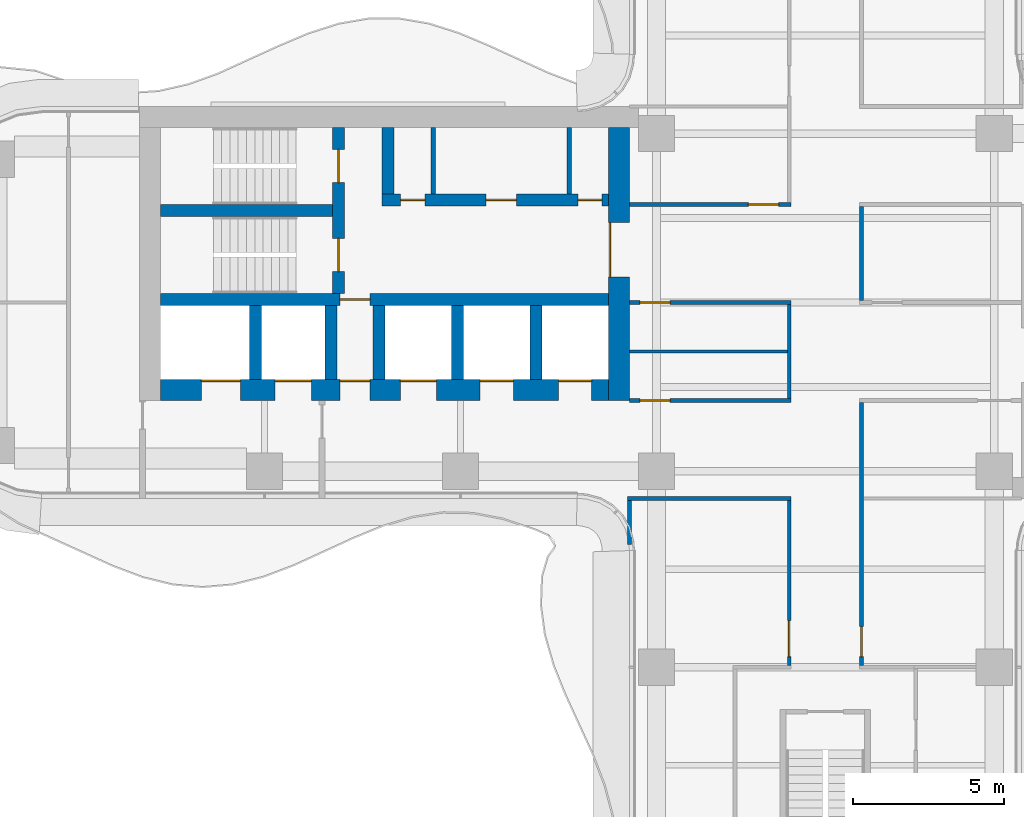
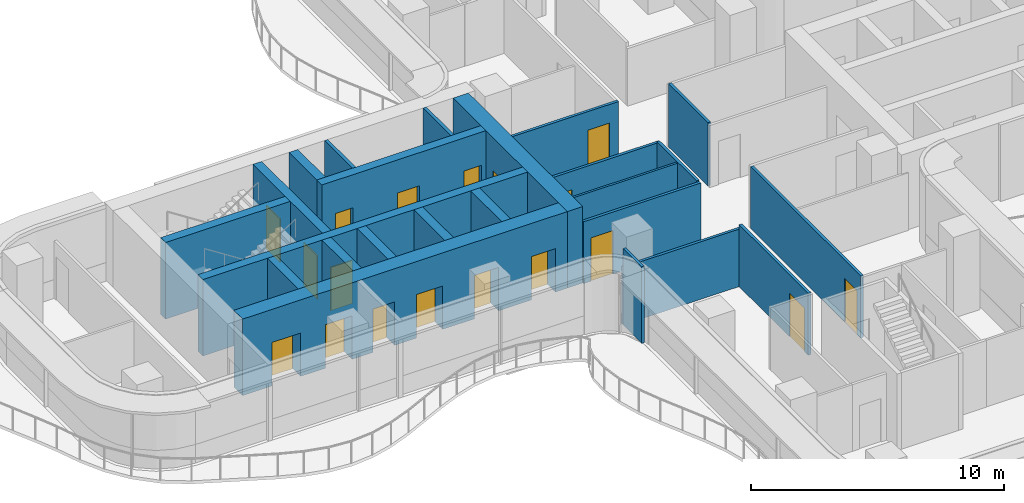
# One storey, part 14 of 19: 24 walls, 18 doors, 18 openings.
"""IFC4 building model written with IfcOpenShell, lengths in metres."""

from ifc_helpers import new_model, si_unit, direction, frame, frame_2d, origin, place, context, subcontext, project, spatial, rectangle, extrude, source, transform, mapped, material, layer, layer_set, type_object, element, fill, save


model = new_model("IFC4")

# Units and contexts
model_context = context("Model", 3, precision=1e-05, world=origin(), true_north=direction((0.0, 1.0)))
body_context = subcontext(model_context, "Body", "Model", "MODEL_VIEW")
ifc_project = project(units=[si_unit("LENGTHUNIT", "METRE"), si_unit("AREAUNIT", "SQUARE_METRE"), si_unit("VOLUMEUNIT", "CUBIC_METRE"), si_unit("PLANEANGLEUNIT", "RADIAN"), si_unit("MASSUNIT", "GRAM", prefix="KILO")], contexts=[model_context])

# Site, building, storey
site_placement = place(None, origin())
site = spatial("IfcSite", under=ifc_project, at=site_placement, CompositionType="ELEMENT")
building_placement = place(site_placement, origin())
building = spatial("IfcBuilding", under=site, at=building_placement, Name="Trellis Farm Tower", CompositionType="ELEMENT")
storey_placement = place(building_placement, frame((0.0, 0.0, 197.10009765625)))
storey = spatial("IfcBuildingStorey", under=building, at=storey_placement, Name="L43", CompositionType="ELEMENT", Elevation=197.10009765625)

# Wall, opening, door
ifc_material_1 = material(Name="Concrete C70/85", Category="concrete")
ifc_layer_1 = layer(ifc_material_1, 0.699951171875)
ifc_layer_set_1 = layer_set([ifc_layer_1], Name="CORE OUTER WALL 700 CONCRETE C70/85")
wall_type_1 = type_object("IfcWallType", Name="CORE OUTER WALL 700 CONCRETE C70/85", PredefinedType="SHEAR", material=ifc_layer_set_1)
shared_shape_1 = source(origin(), body_context, "Body", "SweptSolid", [
    extrude(rectangle(XDim=9.050048828125, YDim=0.699951171875, at=frame_2d((4.52490234375, 0.0))), origin(), (0.0, 0.0, 1.0), 3.699951171875),
])
wall_1_placement = place(storey_placement, frame((-6.85009765625, 5.800048828125, 0.0), z_axis=(0.0, 0.0, 1.0), x_axis=(0.0, -1.0, 0.0)))
wall_1 = element("IfcWall", 1, at=wall_1_placement, inside=storey, type_object=wall_type_1, Name="Core wall", PredefinedType="SHEAR", context=body_context, shape_type="MappedRepresentation", body=[
    mapped(shared_shape_1, transform((0.0, 0.0, 0.0))),
])
shared_shape_2 = source(origin(), body_context, "Body", "SweptSolid", [
    extrude(rectangle(XDim=1.800048828125, YDim=2.10009765625, at=frame_2d((0.89990234375, 1.050048828125))), frame((0.0, 0.360107421875, 0.0), z_axis=(0.0, -1.0, 0.0), x_axis=(1.0, 0.0, 0.0)), (0.0, 0.0, 1.0), 0.72021484375),
])
opening_1_placement = place(wall_1_placement, frame((3.14990234375, 0.0, 0.0)))
opening_1 = element("IfcOpeningElement", 2, at=opening_1_placement, cuts=wall_1, Name="Opening DC87", PredefinedType="OPENING", context=body_context, shape_type="MappedRepresentation", body=[
    mapped(shared_shape_2, transform((0.0, 0.0, 0.0))),
])
ifc_material_2 = material(Name="Steel", Category="steel")
door_type_1 = type_object("IfcDoorType", Name="CORE FIRE DOOR DOUBLE 1800 X 2100", OperationType="DOUBLE_DOOR_SINGLE_SWING", PredefinedType="DOOR", material=ifc_material_2)
shared_shape_3 = source(origin(), body_context, "Body", "SweptSolid", [
    extrude(rectangle(XDim=1.800048828125, YDim=2.10009765625, at=frame_2d((0.89990234375, 1.050048828125))), frame((0.0, -0.27490234375, 0.0), z_axis=(0.0, -1.0, 0.0), x_axis=(1.0, 0.0, 0.0)), (0.0, 0.0, 1.0), 0.050048828125),
])
door_1_placement = place(opening_1_placement, origin())
door_1 = element("IfcDoor", 3, at=door_1_placement, inside=storey, type_object=door_type_1, Name="Core door", OperationType="DOUBLE_DOOR_SINGLE_SWING", OverallHeight=2.10009765625, OverallWidth=1.800048828125, PredefinedType="DOOR", context=body_context, shape_type="MappedRepresentation", body=[
    mapped(shared_shape_3, transform((0.0, 0.0, 0.0))),
])
fill(opening_1, door_1)

# Walls
ifc_layer_2 = layer(ifc_material_1, 0.39990234375)
ifc_layer_set_2 = layer_set([ifc_layer_2], Name="CORE INNER WALL 400 CONCRETE C70/85")
wall_type_2 = type_object("IfcWallType", Name="CORE INNER WALL 400 CONCRETE C70/85", PredefinedType="SHEAR", material=ifc_layer_set_2)
shared_shape_4 = source(origin(), body_context, "Body", "SweptSolid", [
    extrude(rectangle(XDim=2.449951171875, YDim=0.39990234375, at=frame_2d((1.22509765625, 0.0))), origin(), (0.0, 0.0, 1.0), 3.699951171875),
])
for number, where, z_axis, x_axis, name in (
    (4, (-9.60009765625, -0.10009765625, 0.0), (0.0, 0.0, 1.0), (0.0, -1.0, 0.0), "Core wall"),
    (5, (-12.199951171875, -0.10009765625, 0.0), (0.0, 0.0, 1.0), (0.0, -1.0, 0.0), "Core wall"),
    (6, (-14.800048828125, -0.10009765625, 0.0), (0.0, 0.0, 1.0), (0.0, -1.0, 0.0), "Core wall"),
    (7, (-16.39990234375, -0.10009765625, 0.0), (0.0, 0.0, 1.0), (0.0, -1.0, 0.0), "Core wall"),
    (8, (-18.89990234375, -0.10009765625, 0.0), (0.0, 0.0, 1.0), (0.0, -1.0, 0.0), "Core wall"),
):
    element("IfcWall", number, at=place(storey_placement, frame(where, z_axis=z_axis, x_axis=x_axis)), inside=storey, type_object=wall_type_2, Name=name, PredefinedType="SHEAR", context=body_context, shape_type="MappedRepresentation", body=[
        mapped(shared_shape_4, transform((0.0, 0.0, 0.0))),
    ])

# Wall, openings, doors
shared_shape_5 = source(origin(), body_context, "Body", "SweptSolid", [
    extrude(rectangle(XDim=14.85009765625, YDim=0.699951171875, at=frame_2d((7.425048828125, 0.0))), origin(), (0.0, 0.0, 1.0), 3.699951171875),
])
wall_2_placement = place(storey_placement, frame((-7.199951171875, -2.89990234375, 0.0), z_axis=(0.0, 0.0, 1.0), x_axis=(-1.0, 0.0, 0.0)))
wall_2 = element("IfcWall", 9, at=wall_2_placement, inside=storey, type_object=wall_type_1, Name="Core wall", PredefinedType="SHEAR", context=body_context, shape_type="MappedRepresentation", body=[
    mapped(shared_shape_5, transform((0.0, 0.0, 0.0))),
])
shared_shape_6 = source(origin(), body_context, "Body", "SweptSolid", [
    extrude(rectangle(XDim=1.10009765625, YDim=2.10009765625, at=frame_2d((0.550048828125, 1.050048828125))), frame((0.0, 0.360107421875, 0.0), z_axis=(0.0, -1.0, 0.0), x_axis=(1.0, 0.0, 0.0)), (0.0, 0.0, 1.0), 0.72021484375),
])
opening_2_placement = place(wall_2_placement, frame((0.550048828125, 0.0, 0.0)))
opening_2 = element("IfcOpeningElement", 10, at=opening_2_placement, cuts=wall_2, Name="Opening LD12", PredefinedType="OPENING", context=body_context, shape_type="MappedRepresentation", body=[
    mapped(shared_shape_6, transform((0.0, 0.0, 0.0))),
])
opening_3_placement = place(wall_2_placement, frame((3.14990234375, 0.0, 0.0)))
opening_3 = element("IfcOpeningElement", 11, at=opening_3_placement, cuts=wall_2, Name="Opening LD13", PredefinedType="OPENING", context=body_context, shape_type="MappedRepresentation", body=[
    mapped(shared_shape_6, transform((0.0, 0.0, 0.0))),
])
shared_shape_7 = source(origin(), body_context, "Body", "SweptSolid", [
    extrude(rectangle(XDim=1.199951171875, YDim=2.10009765625, at=frame_2d((0.60009765625, 1.050048828125))), frame((0.0, 0.360107421875, 0.0), z_axis=(0.0, -1.0, 0.0), x_axis=(1.0, 0.0, 0.0)), (0.0, 0.0, 1.0), 0.72021484375),
])
opening_4_placement = place(wall_2_placement, frame((5.699951171875, 0.0, 0.0)))
opening_4 = element("IfcOpeningElement", 12, at=opening_4_placement, cuts=wall_2, Name="Opening LD14", PredefinedType="OPENING", context=body_context, shape_type="MappedRepresentation", body=[
    mapped(shared_shape_7, transform((0.0, 0.0, 0.0))),
])
shared_shape_8 = source(origin(), body_context, "Body", "SweptSolid", [
    extrude(rectangle(XDim=1.300048828125, YDim=2.10009765625, at=frame_2d((0.64990234375, 1.050048828125))), frame((0.0, 0.360107421875, 0.0), z_axis=(0.0, -1.0, 0.0), x_axis=(1.0, 0.0, 0.0)), (0.0, 0.0, 1.0), 0.72021484375),
])
opening_5_placement = place(wall_2_placement, frame((12.199951171875, 0.0, 0.0)))
opening_5 = element("IfcOpeningElement", 13, at=opening_5_placement, cuts=wall_2, Name="Opening LD15", PredefinedType="OPENING", context=body_context, shape_type="MappedRepresentation", body=[
    mapped(shared_shape_8, transform((0.0, 0.0, 0.0))),
])
opening_6_placement = place(wall_2_placement, frame((9.85009765625, 0.0, 0.0)))
opening_6 = element("IfcOpeningElement", 14, at=opening_6_placement, cuts=wall_2, Name="Opening LD16", PredefinedType="OPENING", context=body_context, shape_type="MappedRepresentation", body=[
    mapped(shared_shape_7, transform((0.0, 0.0, 0.0))),
])
shared_shape_9 = source(origin(), body_context, "Body", "SweptSolid", [
    extrude(rectangle(XDim=1.0, YDim=2.10009765625, at=frame_2d((0.5, 1.050048828125))), frame((0.0, 0.360107421875, 0.0), z_axis=(0.0, -1.0, 0.0), x_axis=(1.0, 0.0, 0.0)), (0.0, 0.0, 1.0), 0.72021484375),
])
opening_7_placement = place(wall_2_placement, frame((7.89990234375, 0.0, 0.0)))
opening_7 = element("IfcOpeningElement", 15, at=opening_7_placement, cuts=wall_2, Name="Opening DC92", PredefinedType="OPENING", context=body_context, shape_type="MappedRepresentation", body=[
    mapped(shared_shape_9, transform((0.0, 0.0, 0.0))),
])
door_type_2 = type_object("IfcDoorType", Name="CORE FIRE DOOR 1000 X 2100", OperationType="NOTDEFINED", PredefinedType="DOOR", material=ifc_material_2)
shared_shape_10 = source(origin(), body_context, "Body", "SweptSolid", [
    extrude(rectangle(XDim=1.0, YDim=2.10009765625, at=frame_2d((0.5, 1.050048828125))), frame((0.0, -0.27490234375, 0.0), z_axis=(0.0, -1.0, 0.0), x_axis=(1.0, 0.0, 0.0)), (0.0, 0.0, 1.0), 0.050048828125),
])
door_2_placement = place(opening_7_placement, origin())
door_2 = element("IfcDoor", 16, at=door_2_placement, inside=storey, type_object=door_type_2, Name="Core door", OperationType="SINGLE_SWING_LEFT", OverallHeight=2.10009765625, OverallWidth=1.0, PredefinedType="DOOR", context=body_context, shape_type="MappedRepresentation", body=[
    mapped(shared_shape_10, transform((0.0, 0.0, 0.0))),
])
fill(opening_7, door_2)
ifc_material_3 = material(Name="Stainless steel", Category="steel")
door_type_3 = type_object("IfcDoorType", Name="LIFT LANDING DOOR 1300 X 2100", OperationType="DOUBLE_DOOR_SLIDING", PredefinedType="DOOR", material=ifc_material_3)
shared_shape_11 = source(origin(), body_context, "Body", "SweptSolid", [
    extrude(rectangle(XDim=1.300048828125, YDim=2.10009765625, at=frame_2d((0.64990234375, 1.050048828125))), frame((0.0, -0.27490234375, 0.0), z_axis=(0.0, -1.0, 0.0), x_axis=(1.0, 0.0, 0.0)), (0.0, 0.0, 1.0), 0.050048828125),
])
door_3_placement = place(opening_5_placement, origin())
door_3 = element("IfcDoor", 17, at=door_3_placement, inside=storey, type_object=door_type_3, Name="Lift landing door", OperationType="DOUBLE_DOOR_SLIDING", OverallHeight=2.10009765625, OverallWidth=1.300048828125, PredefinedType="DOOR", context=body_context, shape_type="MappedRepresentation", body=[
    mapped(shared_shape_11, transform((0.0, 0.0, 0.0))),
])
fill(opening_5, door_3)
door_type_4 = type_object("IfcDoorType", Name="LIFT LANDING DOOR 1200 X 2100", OperationType="DOUBLE_DOOR_SLIDING", PredefinedType="DOOR", material=ifc_material_3)
shared_shape_12 = source(origin(), body_context, "Body", "SweptSolid", [
    extrude(rectangle(XDim=1.199951171875, YDim=2.10009765625, at=frame_2d((0.60009765625, 1.050048828125))), frame((0.0, -0.27490234375, 0.0), z_axis=(0.0, -1.0, 0.0), x_axis=(1.0, 0.0, 0.0)), (0.0, 0.0, 1.0), 0.050048828125),
])
door_4_placement = place(opening_4_placement, origin())
door_4 = element("IfcDoor", 18, at=door_4_placement, inside=storey, type_object=door_type_4, Name="Lift landing door", OperationType="DOUBLE_DOOR_SLIDING", OverallHeight=2.10009765625, OverallWidth=1.199951171875, PredefinedType="DOOR", context=body_context, shape_type="MappedRepresentation", body=[
    mapped(shared_shape_12, transform((0.0, 0.0, 0.0))),
])
fill(opening_4, door_4)
door_5_placement = place(opening_6_placement, origin())
door_5 = element("IfcDoor", 19, at=door_5_placement, inside=storey, type_object=door_type_4, Name="Lift landing door", OperationType="DOUBLE_DOOR_SLIDING", OverallHeight=2.10009765625, OverallWidth=1.199951171875, PredefinedType="DOOR", context=body_context, shape_type="MappedRepresentation", body=[
    mapped(shared_shape_12, transform((0.0, 0.0, 0.0))),
])
fill(opening_6, door_5)
door_type_5 = type_object("IfcDoorType", Name="LIFT LANDING DOOR 1100 X 2100", OperationType="DOUBLE_DOOR_SLIDING", PredefinedType="DOOR", material=ifc_material_3)
shared_shape_13 = source(origin(), body_context, "Body", "SweptSolid", [
    extrude(rectangle(XDim=1.10009765625, YDim=2.10009765625, at=frame_2d((0.550048828125, 1.050048828125))), frame((0.0, -0.27490234375, 0.0), z_axis=(0.0, -1.0, 0.0), x_axis=(1.0, 0.0, 0.0)), (0.0, 0.0, 1.0), 0.050048828125),
])
door_6_placement = place(opening_2_placement, origin())
door_6 = element("IfcDoor", 20, at=door_6_placement, inside=storey, type_object=door_type_5, Name="Lift landing door", OperationType="DOUBLE_DOOR_SLIDING", OverallHeight=2.10009765625, OverallWidth=1.10009765625, PredefinedType="DOOR", context=body_context, shape_type="MappedRepresentation", body=[
    mapped(shared_shape_13, transform((0.0, 0.0, 0.0))),
])
fill(opening_2, door_6)
door_7_placement = place(opening_3_placement, origin())
door_7 = element("IfcDoor", 21, at=door_7_placement, inside=storey, type_object=door_type_5, Name="Lift landing door", OperationType="DOUBLE_DOOR_SLIDING", OverallHeight=2.10009765625, OverallWidth=1.10009765625, PredefinedType="DOOR", context=body_context, shape_type="MappedRepresentation", body=[
    mapped(shared_shape_13, transform((0.0, 0.0, 0.0))),
])
fill(opening_3, door_7)

shared_shape_14 = source(origin(), body_context, "Body", "SweptSolid", [
    extrude(rectangle(XDim=7.5, YDim=0.39990234375, at=frame_2d((3.75, 0.0))), origin(), (0.0, 0.0, 1.0), 3.699951171875),
])
wall_3_placement = place(storey_placement, frame((-7.199951171875, 3.39990234375, 0.0), z_axis=(0.0, 0.0, 1.0), x_axis=(-1.0, 0.0, 0.0)))
wall_3 = element("IfcWall", 22, at=wall_3_placement, inside=storey, type_object=wall_type_2, Name="Core wall", PredefinedType="SHEAR", context=body_context, shape_type="MappedRepresentation", body=[
    mapped(shared_shape_14, transform((0.0, 0.0, 0.0))),
])
shared_shape_15 = source(origin(), body_context, "Body", "SweptSolid", [
    extrude(rectangle(XDim=0.800048828125, YDim=2.10009765625, at=frame_2d((0.39990234375, 1.050048828125))), frame((0.0, 0.2099609375, 0.0), z_axis=(0.0, -1.0, 0.0), x_axis=(1.0, 0.0, 0.0)), (0.0, 0.0, 1.0), 0.419921875),
])
opening_8_placement = place(wall_3_placement, frame((0.21240234375, 0.0, 0.0)))
opening_8 = element("IfcOpeningElement", 23, at=opening_8_placement, cuts=wall_3, Name="Opening DC137", PredefinedType="OPENING", context=body_context, shape_type="MappedRepresentation", body=[
    mapped(shared_shape_15, transform((0.0, 0.0, 0.0))),
])
shared_shape_16 = source(origin(), body_context, "Body", "SweptSolid", [
    extrude(rectangle(XDim=1.0, YDim=2.10009765625, at=frame_2d((0.5, 1.050048828125))), frame((0.0, 0.2099609375, 0.0), z_axis=(0.0, -1.0, 0.0), x_axis=(1.0, 0.0, 0.0)), (0.0, 0.0, 1.0), 0.419921875),
])
opening_9_placement = place(wall_3_placement, frame((3.050048828125, 0.0, 0.0)))
opening_9 = element("IfcOpeningElement", 24, at=opening_9_placement, cuts=wall_3, Name="Opening DC148", PredefinedType="OPENING", context=body_context, shape_type="MappedRepresentation", body=[
    mapped(shared_shape_16, transform((0.0, 0.0, 0.0))),
])
opening_10_placement = place(wall_3_placement, frame((6.08740234375, 0.0, 0.0)))
opening_10 = element("IfcOpeningElement", 25, at=opening_10_placement, cuts=wall_3, Name="Opening DC149", PredefinedType="OPENING", context=body_context, shape_type="MappedRepresentation", body=[
    mapped(shared_shape_15, transform((0.0, 0.0, 0.0))),
])
shared_shape_17 = source(origin(), body_context, "Body", "SweptSolid", [
    extrude(rectangle(XDim=1.0, YDim=2.10009765625, at=frame_2d((0.5, 1.050048828125))), frame((0.0, 0.02490234375, 0.0), z_axis=(0.0, -1.0, 0.0), x_axis=(1.0, 0.0, 0.0)), (0.0, 0.0, 1.0), 0.050048828125),
])
door_8_placement = place(opening_9_placement, origin())
door_8 = element("IfcDoor", 26, at=door_8_placement, inside=storey, type_object=door_type_2, Name="Core door", OperationType="SINGLE_SWING_RIGHT", OverallHeight=2.10009765625, OverallWidth=1.0, PredefinedType="DOOR", context=body_context, shape_type="MappedRepresentation", body=[
    mapped(shared_shape_17, transform((0.0, 0.0, 0.0))),
])
fill(opening_9, door_8)
door_type_6 = type_object("IfcDoorType", Name="CORE FIRE DOOR 800 X 2100", OperationType="NOTDEFINED", PredefinedType="DOOR", material=ifc_material_2)
shared_shape_18 = source(origin(), body_context, "Body", "SweptSolid", [
    extrude(rectangle(XDim=0.800048828125, YDim=2.10009765625, at=frame_2d((0.39990234375, 1.050048828125))), frame((0.0, 0.02490234375, 0.0), z_axis=(0.0, -1.0, 0.0), x_axis=(1.0, 0.0, 0.0)), (0.0, 0.0, 1.0), 0.050048828125),
])
door_9_placement = place(opening_8_placement, origin())
door_9 = element("IfcDoor", 27, at=door_9_placement, inside=storey, type_object=door_type_6, Name="Core door", OperationType="SINGLE_SWING_LEFT", OverallHeight=2.10009765625, OverallWidth=0.800048828125, PredefinedType="DOOR", context=body_context, shape_type="MappedRepresentation", body=[
    mapped(shared_shape_18, transform((0.0, 0.0, 0.0))),
])
fill(opening_8, door_9)
door_10_placement = place(opening_10_placement, origin())
door_10 = element("IfcDoor", 28, at=door_10_placement, inside=storey, type_object=door_type_6, Name="Core door", OperationType="SINGLE_SWING_LEFT", OverallHeight=2.10009765625, OverallWidth=0.800048828125, PredefinedType="DOOR", context=body_context, shape_type="MappedRepresentation", body=[
    mapped(shared_shape_18, transform((0.0, 0.0, 0.0))),
])
fill(opening_10, door_10)

# Wall, opening, door
shared_shape_19 = source(origin(), body_context, "Body", "SweptSolid", [
    extrude(rectangle(XDim=14.85009765625, YDim=0.39990234375, at=frame_2d((7.425048828125, 0.0))), origin(), (0.0, 0.0, 1.0), 3.699951171875),
])
wall_4_placement = place(storey_placement, frame((-7.199951171875, 0.10009765625, 0.0), z_axis=(0.0, 0.0, 1.0), x_axis=(-1.0, 0.0, 0.0)))
wall_4 = element("IfcWall", 29, at=wall_4_placement, inside=storey, type_object=wall_type_2, Name="Core wall", PredefinedType="SHEAR", context=body_context, shape_type="MappedRepresentation", body=[
    mapped(shared_shape_19, transform((0.0, 0.0, 0.0))),
])
opening_11_placement = place(wall_4_placement, frame((7.89990234375, 0.0, 0.0)))
opening_11 = element("IfcOpeningElement", 30, at=opening_11_placement, cuts=wall_4, Name="Opening DC91", PredefinedType="OPENING", context=body_context, shape_type="MappedRepresentation", body=[
    mapped(shared_shape_16, transform((0.0, 0.0, 0.0))),
])
door_11_placement = place(opening_11_placement, origin())
door_11 = element("IfcDoor", 31, at=door_11_placement, inside=storey, type_object=door_type_2, Name="Core door", OperationType="SINGLE_SWING_RIGHT", OverallHeight=2.10009765625, OverallWidth=1.0, PredefinedType="DOOR", context=body_context, shape_type="MappedRepresentation", body=[
    mapped(shared_shape_17, transform((0.0, 0.0, 0.0))),
])
fill(opening_11, door_11)

# Wall, openings, doors
shared_shape_20 = source(origin(), body_context, "Body", "SweptSolid", [
    extrude(rectangle(XDim=5.5, YDim=0.39990234375, at=frame_2d((2.75, 0.0))), origin(), (0.0, 0.0, 1.0), 3.699951171875),
])
wall_5_placement = place(storey_placement, frame((-16.14990234375, 5.800048828125, 0.0), z_axis=(0.0, 0.0, 1.0), x_axis=(0.0, -1.0, 0.0)))
wall_5 = element("IfcWall", 32, at=wall_5_placement, inside=storey, type_object=wall_type_2, Name="Core wall", PredefinedType="SHEAR", context=body_context, shape_type="MappedRepresentation", body=[
    mapped(shared_shape_20, transform((0.0, 0.0, 0.0))),
])
shared_shape_21 = source(origin(), body_context, "Body", "SweptSolid", [
    extrude(rectangle(XDim=1.10009765625, YDim=2.10009765625, at=frame_2d((0.550048828125, 1.050048828125))), frame((0.0, 0.2099609375, 0.0), z_axis=(0.0, -1.0, 0.0), x_axis=(1.0, 0.0, 0.0)), (0.0, 0.0, 1.0), 0.419921875),
])
opening_12_placement = place(wall_5_placement, frame((0.72509765625, 0.0, 0.0)))
opening_12 = element("IfcOpeningElement", 33, at=opening_12_placement, cuts=wall_5, Name="Opening DC88", PredefinedType="OPENING", context=body_context, shape_type="MappedRepresentation", body=[
    mapped(shared_shape_21, transform((0.0, 0.0, 0.0))),
])
opening_13_placement = place(wall_5_placement, frame((3.675048828125, 0.0, 0.0)))
opening_13 = element("IfcOpeningElement", 34, at=opening_13_placement, cuts=wall_5, Name="Opening DC89", PredefinedType="OPENING", context=body_context, shape_type="MappedRepresentation", body=[
    mapped(shared_shape_21, transform((0.0, 0.0, 0.0))),
])
door_type_7 = type_object("IfcDoorType", Name="CORE FIRE DOOR 1100 X 2100", OperationType="NOTDEFINED", PredefinedType="DOOR", material=ifc_material_2)
shared_shape_22 = source(origin(), body_context, "Body", "SweptSolid", [
    extrude(rectangle(XDim=1.10009765625, YDim=2.10009765625, at=frame_2d((0.550048828125, 1.050048828125))), frame((0.0, 0.02490234375, 0.0), z_axis=(0.0, -1.0, 0.0), x_axis=(1.0, 0.0, 0.0)), (0.0, 0.0, 1.0), 0.050048828125),
])
door_12_placement = place(opening_12_placement, origin())
door_12 = element("IfcDoor", 35, at=door_12_placement, inside=storey, type_object=door_type_7, Name="Core door", OperationType="SINGLE_SWING_RIGHT", OverallHeight=2.10009765625, OverallWidth=1.10009765625, PredefinedType="DOOR", context=body_context, shape_type="MappedRepresentation", body=[
    mapped(shared_shape_22, transform((0.0, 0.0, 0.0))),
])
fill(opening_12, door_12)
door_13_placement = place(opening_13_placement, origin())
door_13 = element("IfcDoor", 36, at=door_13_placement, inside=storey, type_object=door_type_7, Name="Core door", OperationType="SINGLE_SWING_LEFT", OverallHeight=2.10009765625, OverallWidth=1.10009765625, PredefinedType="DOOR", context=body_context, shape_type="MappedRepresentation", body=[
    mapped(shared_shape_22, transform((0.0, 0.0, 0.0))),
])
fill(opening_13, door_13)

# Walls
shared_shape_23 = source(origin(), body_context, "Body", "SweptSolid", [
    extrude(rectangle(XDim=5.699951171875, YDim=0.39990234375, at=frame_2d((2.85009765625, 0.0))), origin(), (0.0, 0.0, 1.0), 3.699951171875),
])
wall_6_placement = place(storey_placement, frame((-16.35009765625, 3.050048828125, 0.0), z_axis=(0.0, 0.0, 1.0), x_axis=(-1.0, 0.0, 0.0)))
element("IfcWall", 37, at=wall_6_placement, inside=storey, type_object=wall_type_2, Name="Core wall", PredefinedType="SHEAR", context=body_context, shape_type="MappedRepresentation", body=[
    mapped(shared_shape_23, transform((0.0, 0.0, 0.0))),
])
shared_shape_24 = source(origin(), body_context, "Body", "SweptSolid", [
    extrude(rectangle(XDim=2.199951171875, YDim=0.39990234375, at=frame_2d((1.10009765625, 0.0))), origin(), (0.0, 0.0, 1.0), 3.699951171875),
])
wall_7_placement = place(storey_placement, frame((-14.5, 5.800048828125, 0.0), z_axis=(0.0, 0.0, 1.0), x_axis=(0.0, -1.0, 0.0)))
element("IfcWall", 38, at=wall_7_placement, inside=storey, type_object=wall_type_2, Name="Core wall", PredefinedType="SHEAR", context=body_context, shape_type="MappedRepresentation", body=[
    mapped(shared_shape_24, transform((0.0, 0.0, 0.0))),
])
ifc_material_4 = material(Name="Masonry blockwork", Category="masonry")
ifc_layer_3 = layer(ifc_material_4, 0.14990234375)
ifc_layer_set_3 = layer_set([ifc_layer_3], Name="CORE PARTITION 150 BLOCKWORK")
wall_type_3 = type_object("IfcWallType", Name="CORE PARTITION 150 BLOCKWORK", PredefinedType="PARTITIONING", material=ifc_layer_set_3)
shared_shape_25 = source(origin(), body_context, "Body", "SweptSolid", [
    extrude(rectangle(XDim=2.199951171875, YDim=0.14990234375, at=frame_2d((1.10009765625, 0.0))), origin(), (0.0, 0.0, 1.0), 3.699951171875),
])
for number, where, z_axis, x_axis, name in (
    (39, (-8.5, 5.800048828125, 0.0), (0.0, 0.0, 1.0), (0.0, -1.0, 0.0), "Core room partition"),
    (40, (-13.0, 5.800048828125, 0.0), (0.0, 0.0, 1.0), (0.0, -1.0, 0.0), "Core room partition"),
):
    element("IfcWall", number, at=place(storey_placement, frame(where, z_axis=z_axis, x_axis=x_axis)), inside=storey, type_object=wall_type_3, Name=name, PredefinedType="PARTITIONING", context=body_context, shape_type="MappedRepresentation", body=[
        mapped(shared_shape_25, transform((0.0, 0.0, 0.0))),
    ])

# Wall, opening, door
ifc_material_5 = material(Name="Plasterboard on steel studs, mineral wool", Category="steel")
ifc_layer_4 = layer(ifc_material_5, 0.125)
ifc_layer_set_4 = layer_set([ifc_layer_4], Name="PARTITION 125 STUD EI 60")
wall_type_4 = type_object("IfcWallType", Name="PARTITION 125 STUD EI 60", PredefinedType="PARTITIONING", material=ifc_layer_set_4)
shared_shape_26 = source(origin(), body_context, "Body", "SweptSolid", [
    extrude(rectangle(XDim=5.47509765625, YDim=0.125, at=frame_2d((2.737548828125, 0.0))), origin(), (0.0, 0.0, 1.0), 2.99658203125),
])
wall_8_placement = place(storey_placement, frame((-1.199951171875, -12.03759765625, 0.0), z_axis=(0.0, 0.0, 1.0), x_axis=(0.0, 1.0, 0.0)))
wall_8 = element("IfcWall", 41, at=wall_8_placement, inside=storey, type_object=wall_type_4, Name="Partition PW1", PredefinedType="PARTITIONING", context=body_context, shape_type="MappedRepresentation", body=[
    mapped(shared_shape_26, transform((0.0, 0.0, 0.0))),
])
shared_shape_27 = source(origin(), body_context, "Body", "SweptSolid", [
    extrude(rectangle(XDim=1.199951171875, YDim=2.10009765625, at=frame_2d((0.60009765625, 1.050048828125))), frame((0.0, 0.072509765625, 0.0), z_axis=(0.0, -1.0, 0.0), x_axis=(1.0, 0.0, 0.0)), (0.0, 0.0, 1.0), 0.14501953125),
])
opening_14_placement = place(wall_8_placement, frame((0.28759765625, 0.0, 0.0)))
opening_14 = element("IfcOpeningElement", 42, at=opening_14_placement, cuts=wall_8, Name="Opening D601", PredefinedType="OPENING", context=body_context, shape_type="MappedRepresentation", body=[
    mapped(shared_shape_27, transform((0.0, 0.0, 0.0))),
])
ifc_material_6 = material(Name="Fire-rated timber door leaf in a hollow metal frame", Category="wood")
door_type_8 = type_object("IfcDoorType", Name="DOOR 1200x2100 FD30S", OperationType="NOTDEFINED", PredefinedType="DOOR", material=ifc_material_6)
shared_shape_28 = source(origin(), body_context, "Body", "SweptSolid", [
    extrude(rectangle(XDim=1.199951171875, YDim=2.10009765625, at=frame_2d((0.60009765625, 1.050048828125))), frame((0.0, 0.02490234375, 0.0), z_axis=(0.0, -1.0, 0.0), x_axis=(1.0, 0.0, 0.0)), (0.0, 0.0, 1.0), 0.050048828125),
])
door_14_placement = place(opening_14_placement, origin())
door_14 = element("IfcDoor", 43, at=door_14_placement, inside=storey, type_object=door_type_8, Name="Door D601", OperationType="SINGLE_SWING_LEFT", OverallHeight=2.10009765625, OverallWidth=1.199951171875, PredefinedType="DOOR", context=body_context, shape_type="MappedRepresentation", body=[
    mapped(shared_shape_28, transform((0.0, 0.0, 0.0))),
])
fill(opening_14, door_14)

# Wall
shared_shape_29 = source(origin(), body_context, "Body", "SweptSolid", [
    extrude(rectangle(XDim=1.468994140625, YDim=0.125, at=frame_2d((0.734375, 0.0))), origin(), (0.0, 0.0, 1.0), 3.699951171875),
])
wall_9_placement = place(storey_placement, frame((-6.5, -6.5625, 0.0), z_axis=(0.0, 0.0, 1.0), x_axis=(0.0, -1.0, 0.0)))
element("IfcWall", 44, at=wall_9_placement, inside=storey, type_object=wall_type_4, Name="Partition PW1", PredefinedType="PARTITIONING", context=body_context, shape_type="MappedRepresentation", body=[
    mapped(shared_shape_29, transform((0.0, 0.0, 0.0))),
])

# Wall, opening, door
shared_shape_30 = source(origin(), body_context, "Body", "SweptSolid", [
    extrude(rectangle(XDim=5.362548828125, YDim=0.125, at=frame_2d((2.68115234375, 0.0))), origin(), (0.0, 0.0, 1.0), 2.99658203125),
])
wall_10_placement = place(storey_placement, frame((-1.137451171875, -3.25, 0.0), z_axis=(0.0, 0.0, 1.0), x_axis=(-1.0, 0.0, 0.0)))
wall_10 = element("IfcWall", 45, at=wall_10_placement, inside=storey, type_object=wall_type_4, Name="Partition PW1", PredefinedType="PARTITIONING", context=body_context, shape_type="MappedRepresentation", body=[
    mapped(shared_shape_30, transform((0.0, 0.0, 0.0))),
])
shared_shape_31 = source(origin(), body_context, "Body", "SweptSolid", [
    extrude(rectangle(XDim=1.0, YDim=2.10009765625, at=frame_2d((0.5, 1.050048828125))), frame((0.0, 0.072509765625, 0.0), z_axis=(0.0, -1.0, 0.0), x_axis=(1.0, 0.0, 0.0)), (0.0, 0.0, 1.0), 0.14501953125),
])
opening_15_placement = place(wall_10_placement, frame((4.012451171875, 0.0, 0.0)))
opening_15 = element("IfcOpeningElement", 46, at=opening_15_placement, cuts=wall_10, Name="Opening D105", PredefinedType="OPENING", context=body_context, shape_type="MappedRepresentation", body=[
    mapped(shared_shape_31, transform((0.0, 0.0, 0.0))),
])
door_type_9 = type_object("IfcDoorType", Name="DOOR 1000x2100 FD30S", OperationType="NOTDEFINED", PredefinedType="DOOR", material=ifc_material_6)
door_15_placement = place(opening_15_placement, origin())
door_15 = element("IfcDoor", 47, at=door_15_placement, inside=storey, type_object=door_type_9, Name="Door D105", OperationType="SINGLE_SWING_RIGHT", OverallHeight=2.10009765625, OverallWidth=1.0, PredefinedType="DOOR", context=body_context, shape_type="MappedRepresentation", body=[
    mapped(shared_shape_17, transform((0.0, 0.0, 0.0))),
])
fill(opening_15, door_15)

wall_11_placement = place(storey_placement, frame((-1.137451171875, 0.0, 0.0), z_axis=(0.0, 0.0, 1.0), x_axis=(-1.0, 0.0, 0.0)))
wall_11 = element("IfcWall", 48, at=wall_11_placement, inside=storey, type_object=wall_type_4, Name="Partition PW1", PredefinedType="PARTITIONING", context=body_context, shape_type="MappedRepresentation", body=[
    mapped(shared_shape_30, transform((0.0, 0.0, 0.0))),
])
opening_16_placement = place(wall_11_placement, frame((4.012451171875, 0.0, 0.0)))
opening_16 = element("IfcOpeningElement", 49, at=opening_16_placement, cuts=wall_11, Name="Opening D106", PredefinedType="OPENING", context=body_context, shape_type="MappedRepresentation", body=[
    mapped(shared_shape_31, transform((0.0, 0.0, 0.0))),
])
door_16_placement = place(opening_16_placement, origin())
door_16 = element("IfcDoor", 50, at=door_16_placement, inside=storey, type_object=door_type_9, Name="Door D106", OperationType="SINGLE_SWING_RIGHT", OverallHeight=2.10009765625, OverallWidth=1.0, PredefinedType="DOOR", context=body_context, shape_type="MappedRepresentation", body=[
    mapped(shared_shape_17, transform((0.0, 0.0, 0.0))),
])
fill(opening_16, door_16)

wall_12_placement = place(storey_placement, frame((-6.5, 3.25, 0.0), z_axis=(0.0, 0.0, 1.0), x_axis=(1.0, 0.0, 0.0)))
wall_12 = element("IfcWall", 51, at=wall_12_placement, inside=storey, type_object=wall_type_4, Name="Partition PW1", PredefinedType="PARTITIONING", context=body_context, shape_type="MappedRepresentation", body=[
    mapped(shared_shape_30, transform((0.0, 0.0, 0.0))),
])
opening_17_placement = place(wall_12_placement, frame((3.949951171875, 0.0, 0.0)))
opening_17 = element("IfcOpeningElement", 52, at=opening_17_placement, cuts=wall_12, Name="Opening D108", PredefinedType="OPENING", context=body_context, shape_type="MappedRepresentation", body=[
    mapped(shared_shape_31, transform((0.0, 0.0, 0.0))),
])
door_17_placement = place(opening_17_placement, origin())
door_17 = element("IfcDoor", 53, at=door_17_placement, inside=storey, type_object=door_type_9, Name="Door D108", OperationType="SINGLE_SWING_RIGHT", OverallHeight=2.10009765625, OverallWidth=1.0, PredefinedType="DOOR", context=body_context, shape_type="MappedRepresentation", body=[
    mapped(shared_shape_17, transform((0.0, 0.0, 0.0))),
])
fill(opening_17, door_17)

# Wall
ifc_material_7 = material(Name="Plasterboard on steel studs", Category="steel")
ifc_layer_5 = layer(ifc_material_7, 0.10009765625)
ifc_layer_set_5 = layer_set([ifc_layer_5], Name="PARTITION 100 STUD EI 30")
wall_type_5 = type_object("IfcWallType", Name="PARTITION 100 STUD EI 30", PredefinedType="PARTITIONING", material=ifc_layer_set_5)
shared_shape_32 = source(origin(), body_context, "Body", "SweptSolid", [
    extrude(rectangle(XDim=5.237548828125, YDim=0.10009765625, at=frame_2d((2.61865234375, 0.0))), origin(), (0.0, 0.0, 1.0), 2.99658203125),
])
wall_13_placement = place(storey_placement, frame((-6.5, -1.625, 0.0), z_axis=(0.0, 0.0, 1.0), x_axis=(1.0, 0.0, 0.0)))
element("IfcWall", 54, at=wall_13_placement, inside=storey, type_object=wall_type_5, Name="Partition PW2", PredefinedType="PARTITIONING", context=body_context, shape_type="MappedRepresentation", body=[
    mapped(shared_shape_32, transform((0.0, 0.0, 0.0))),
])

# Wall, opening, door
shared_shape_33 = source(origin(), body_context, "Body", "SweptSolid", [
    extrude(rectangle(XDim=8.72509765625, YDim=0.125, at=frame_2d((4.362548828125, 0.0))), origin(), (0.0, 0.0, 1.0), 2.99658203125),
])
wall_14_placement = place(storey_placement, frame((1.199951171875, -3.3125, 0.0), z_axis=(0.0, 0.0, 1.0), x_axis=(0.0, -1.0, 0.0)))
wall_14 = element("IfcWall", 55, at=wall_14_placement, inside=storey, type_object=wall_type_4, Name="Partition PW1", PredefinedType="PARTITIONING", context=body_context, shape_type="MappedRepresentation", body=[
    mapped(shared_shape_33, transform((0.0, 0.0, 0.0))),
])
opening_18_placement = place(wall_14_placement, frame((7.4375, 0.0, 0.0)))
opening_18 = element("IfcOpeningElement", 56, at=opening_18_placement, cuts=wall_14, Name="Opening D103", PredefinedType="OPENING", context=body_context, shape_type="MappedRepresentation", body=[
    mapped(shared_shape_31, transform((0.0, 0.0, 0.0))),
])
door_18_placement = place(opening_18_placement, origin())
door_18 = element("IfcDoor", 57, at=door_18_placement, inside=storey, type_object=door_type_9, Name="Door D103", OperationType="SINGLE_SWING_RIGHT", OverallHeight=2.10009765625, OverallWidth=1.0, PredefinedType="DOOR", context=body_context, shape_type="MappedRepresentation", body=[
    mapped(shared_shape_17, transform((0.0, 0.0, 0.0))),
])
fill(opening_18, door_18)

# Walls
shared_shape_34 = source(origin(), body_context, "Body", "SweptSolid", [
    extrude(rectangle(XDim=3.125, YDim=0.125, at=frame_2d((1.5625, 0.0))), origin(), (0.0, 0.0, 1.0), 3.067626953125),
])
for number, where, z_axis, x_axis, name in (
    (58, (-1.199951171875, -0.0625, 0.0), (0.0, 0.0, 1.0), (0.0, -1.0, 0.0), "Partition PW1"),
    (59, (1.199951171875, 3.1875, 0.0), (0.0, 0.0, 1.0), (0.0, -1.0, 0.0), "Partition PW1"),
):
    element("IfcWall", number, at=place(storey_placement, frame(where, z_axis=z_axis, x_axis=x_axis)), inside=storey, type_object=wall_type_4, Name=name, PredefinedType="PARTITIONING", context=body_context, shape_type="MappedRepresentation", body=[
        mapped(shared_shape_34, transform((0.0, 0.0, 0.0))),
    ])
shared_shape_35 = source(origin(), body_context, "Body", "SweptSolid", [
    extrude(rectangle(XDim=5.425048828125, YDim=0.125, at=frame_2d((2.71240234375, 0.0))), origin(), (0.0, 0.0, 1.0), 2.77978515625),
])
wall_15_placement = place(storey_placement, frame((-1.137451171875, -6.5, 0.0), z_axis=(0.0, 0.0, 1.0), x_axis=(-1.0, 0.0, 0.0)))
element("IfcWall", 60, at=wall_15_placement, inside=storey, type_object=wall_type_4, Name="Partition PW1", PredefinedType="PARTITIONING", context=body_context, shape_type="MappedRepresentation", body=[
    mapped(shared_shape_35, transform((0.0, 0.0, 0.0))),
])

save(model, "model.ifc")
